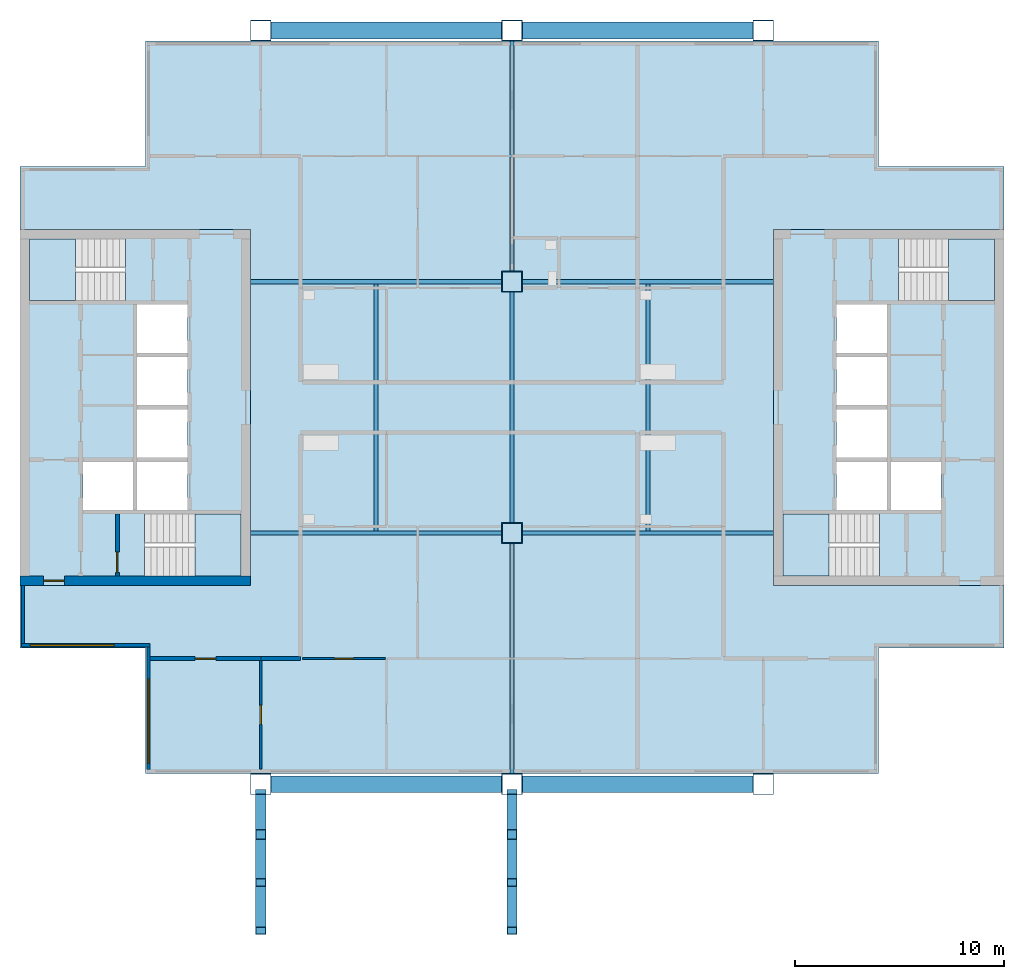
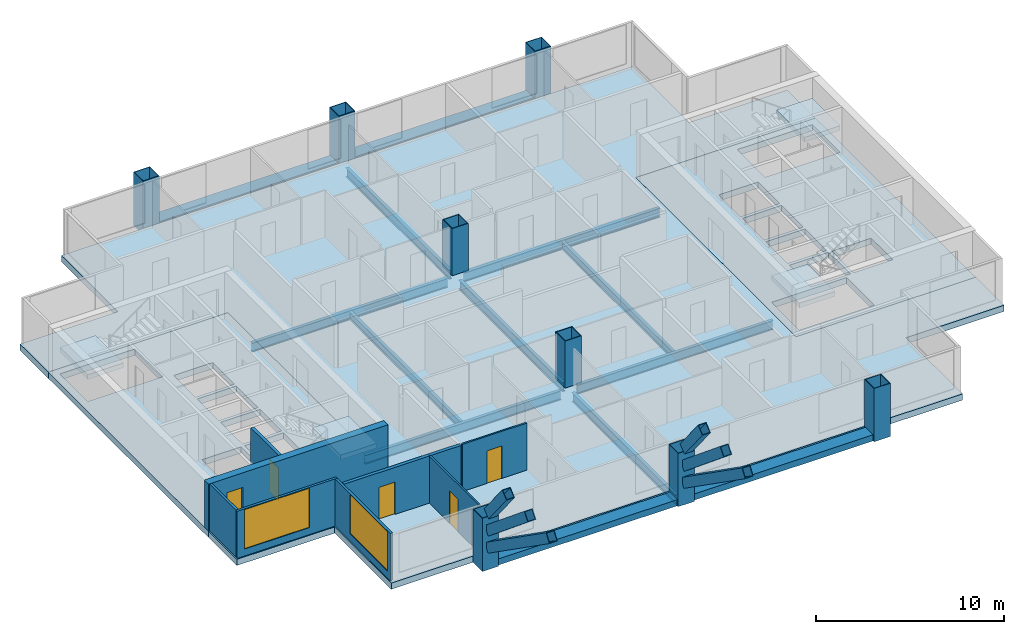
# One storey, part 1 of 8: 13 beams, 9 walls, 8 columns, 7 slabs, 6 members, 5 doors, 2 windows, 7 openings, 4 elements without a shape of their own.
"""IFC4 building model written with IfcOpenShell, lengths in metres."""

from ifc_helpers import new_model, si_unit, direction, frame, frame_2d, origin, origin_2d, place, context, subcontext, project, spatial, polyline, rectangle, hollow_rectangle, i_section, outline, extrude, material, layer, layer_set, material_profile, profile_set, type_object, element, fill, aggregate, save


model = new_model("IFC4")

# Units and contexts
model_context = context("Model", 3, precision=1e-05, world=origin(), true_north=direction((0.0, 1.0)))
body_context = subcontext(model_context, "Body", "Model", "MODEL_VIEW")
ifc_project = project(units=[si_unit("LENGTHUNIT", "METRE"), si_unit("AREAUNIT", "SQUARE_METRE"), si_unit("VOLUMEUNIT", "CUBIC_METRE"), si_unit("PLANEANGLEUNIT", "RADIAN"), si_unit("MASSUNIT", "GRAM", prefix="KILO")], contexts=[model_context])

# Site, building, storey
site_placement = place(None, origin())
site = spatial("IfcSite", under=ifc_project, at=site_placement, CompositionType="ELEMENT")
building_placement = place(site_placement, origin())
building = spatial("IfcBuilding", under=site, at=building_placement, Name="Kitamizu Gate Tower and Museum", CompositionType="ELEMENT")
storey_placement = place(building_placement, frame((0.0, 0.0, 266.25)))
storey = spatial("IfcBuildingStorey", under=building, at=storey_placement, Name="L72", CompositionType="ELEMENT", Elevation=266.25)

# Columns
ifc_material_1 = material(Name="Steel SM490A bronze coated", Category="steel")
ifc_material_profile_1 = material_profile(ifc_material_1, hollow_rectangle(XDim=1.0, YDim=1.0, WallThickness=0.035888671875, at=origin_2d()), Name="BOX 1000x1000x36")
ifc_profile_set_1 = profile_set([ifc_material_profile_1], Name="Steel SM490A bronze coated")
column_type_1 = type_object("IfcColumnType", Name="Exoskeleton column XC9 BOX 1000x1000x36", PredefinedType="COLUMN", material=ifc_profile_set_1)
for number, where, z_axis, x_axis, name in (
    (1, (24.0, 12.0, -0.39990234375), (0.0, 0.0, 1.0), (1.0, 0.0, 0.0), "Column XC9 3B L72"),
    (2, (24.0, 48.0, -0.39990234375), (0.0, 0.0, 1.0), (1.0, 0.0, 0.0), "Column XC9 3E L72"),
    (3, (36.0, 12.0, -0.39990234375), (0.0, 0.0, 1.0), (1.0, 0.0, 0.0), "Column XC9 4B L72"),
    (4, (36.0, 48.0, -0.39990234375), (0.0, 0.0, 1.0), (1.0, 0.0, 0.0), "Column XC9 4E L72"),
    (5, (48.0, 12.0, -0.39990234375), (0.0, 0.0, 1.0), (1.0, 0.0, 0.0), "Column XC9 5B L72"),
    (6, (48.0, 48.0, -0.39990234375), (0.0, 0.0, 1.0), (1.0, 0.0, 0.0), "Column XC9 5E L72"),
):
    element("IfcColumn", number, at=place(storey_placement, frame(where, z_axis=z_axis, x_axis=x_axis)), inside=storey, type_object=column_type_1, Name=name, PredefinedType="COLUMN", context=body_context, shape_type="SweptSolid", body=[
        extrude(hollow_rectangle(XDim=1.0, YDim=1.0, WallThickness=0.035888671875, at=origin_2d()), origin(), (0.0, 0.0, 1.0), 3.449951171875),
    ])
ifc_material_2 = material(Name="Steel SM490A", Category="steel")
ifc_material_profile_2 = material_profile(ifc_material_2, hollow_rectangle(XDim=1.0, YDim=1.0, WallThickness=0.0400390625, at=origin_2d()), Name="BOX 1000x1000x40")
ifc_profile_set_2 = profile_set([ifc_material_profile_2], Name="Steel SM490A")
column_type_2 = type_object("IfcColumnType", Name="Interior column IC5 BOX 1000x1000x40", PredefinedType="COLUMN", material=ifc_profile_set_2)
for number, where, z_axis, x_axis, name in (
    (7, (36.0, 24.0, 0.0), (0.0, 0.0, 1.0), (1.0, 0.0, 0.0), "Column IC5 4C L72"),
    (8, (36.0, 36.0, 0.0), (0.0, 0.0, 1.0), (1.0, 0.0, 0.0), "Column IC5 4D L72"),
):
    element("IfcColumn", number, at=place(storey_placement, frame(where, z_axis=z_axis, x_axis=x_axis)), inside=storey, type_object=column_type_2, Name=name, PredefinedType="COLUMN", context=body_context, shape_type="SweptSolid", body=[
        extrude(hollow_rectangle(XDim=1.0, YDim=1.0, WallThickness=0.0400390625, at=origin_2d()), origin(), (0.0, 0.0, 1.0), 3.050048828125),
    ])

# Beams
ifc_material_3 = material(Name="Steel SM490A bronze coated", Category="steel")
ifc_material_profile_3 = material_profile(ifc_material_3, hollow_rectangle(XDim=0.800048828125, YDim=0.39990234375, WallThickness=0.0400390625, at=origin_2d()), Name="BOX 800x400x40")
ifc_profile_set_3 = profile_set([ifc_material_profile_3], Name="Steel SM490A bronze coated")
beam_type_1 = type_object("IfcBeamType", Name="Exoskeleton spandrel beam SB1 BOX 800x400x40", PredefinedType="SPANDREL", material=ifc_profile_set_3)
for number, where, z_axis, x_axis, name in (
    (9, (24.5, 12.0, -0.199951171875), (1.0, 0.0, 0.0), (0.0, 1.0, 0.0), "Exoskeleton spandrel beam south 24 L72"),
    (10, (36.5, 12.0, -0.199951171875), (1.0, 0.0, 0.0), (0.0, 1.0, 0.0), "Exoskeleton spandrel beam south 36 L72"),
    (11, (24.5, 48.0, -0.199951171875), (1.0, 0.0, 0.0), (0.0, 1.0, 0.0), "Exoskeleton spandrel beam north 24 L72"),
    (12, (36.5, 48.0, -0.199951171875), (1.0, 0.0, 0.0), (0.0, 1.0, 0.0), "Exoskeleton spandrel beam north 36 L72"),
):
    element("IfcBeam", number, at=place(storey_placement, frame(where, z_axis=z_axis, x_axis=x_axis)), inside=storey, type_object=beam_type_1, Name=name, PredefinedType="SPANDREL", context=body_context, shape_type="SweptSolid", body=[
        extrude(hollow_rectangle(XDim=0.800048828125, YDim=0.39990234375, WallThickness=0.0400390625, at=origin_2d()), origin(), (0.0, 0.0, 1.0), 11.0),
    ])
ifc_material_4 = material(Name="Steel SM490A", Category="steel")
ifc_material_profile_4 = material_profile(ifc_material_4, i_section(OverallWidth=0.199951171875, OverallDepth=0.5, WebThickness=0.010009765625, FlangeThickness=0.01611328125, FilletRadius=0.02001953125, at=origin_2d()), Name="H-500x200x10x16")
ifc_profile_set_4 = profile_set([ifc_material_profile_4], Name="Steel SM490A")
beam_type_2 = type_object("IfcBeamType", Name="Floor beam FB1 H 500x200x10x16", PredefinedType="BEAM", material=ifc_profile_set_4)
for number, where, z_axis, x_axis, name in (
    (13, (29.5, 24.10009765625, -0.64990234375), (0.0, 1.0, 0.0), (-1.0, 0.0, 0.0), "Floor beam FB1 L72-1"),
    (14, (42.5, 24.10009765625, -0.64990234375), (0.0, 1.0, 0.0), (-1.0, 0.0, 0.0), "Floor beam FB1 L72-2"),
):
    element("IfcBeam", number, at=place(storey_placement, frame(where, z_axis=z_axis, x_axis=x_axis)), inside=storey, type_object=beam_type_2, Name=name, PredefinedType="BEAM", context=body_context, shape_type="SweptSolid", body=[
        extrude(i_section(OverallWidth=0.199951171875, OverallDepth=0.5, WebThickness=0.010009765625, FlangeThickness=0.01611328125, FilletRadius=0.02001953125, at=origin_2d()), origin(), (0.0, 0.0, 1.0), 11.7998046875),
    ])
ifc_material_5 = material(Name="Steel SM490A", Category="steel")
ifc_material_profile_5 = material_profile(ifc_material_5, i_section(OverallWidth=0.199951171875, OverallDepth=0.60009765625, WebThickness=0.010986328125, FlangeThickness=0.01708984375, FilletRadius=0.02197265625, at=origin_2d()), Name="H-600x200x11x17")
ifc_profile_set_5 = profile_set([ifc_material_profile_5], Name="Steel SM490A")
beam_type_3 = type_object("IfcBeamType", Name="Floor girder FG1 H 600x200x11x17", PredefinedType="BEAM", material=ifc_profile_set_5)
for number, where, z_axis, x_axis, name in (
    (15, (36.0, 12.5, -0.699951171875), (0.0, 1.0, 0.0), (-1.0, 0.0, 0.0), "Floor girder FG1 x36 L72"),
    (16, (36.0, 24.5, -0.699951171875), (0.0, 1.0, 0.0), (-1.0, 0.0, 0.0), "Floor girder FG1 x36 L72"),
    (17, (36.0, 36.5, -0.699951171875), (0.0, 1.0, 0.0), (-1.0, 0.0, 0.0), "Floor girder FG1 x36 L72"),
):
    element("IfcBeam", number, at=place(storey_placement, frame(where, z_axis=z_axis, x_axis=x_axis)), inside=storey, type_object=beam_type_3, Name=name, PredefinedType="BEAM", context=body_context, shape_type="SweptSolid", body=[
        extrude(i_section(OverallWidth=0.199951171875, OverallDepth=0.60009765625, WebThickness=0.010986328125, FlangeThickness=0.01708984375, FilletRadius=0.02197265625, at=origin_2d()), origin(), (0.0, 0.0, 1.0), 11.0),
    ])
for number, where, z_axis, x_axis, name in (
    (18, (23.5, 24.0, -0.699951171875), (1.0, 0.0, 0.0), (0.0, 1.0, 0.0), "Floor girder FG1 y24 L72"),
    (19, (36.5, 24.0, -0.699951171875), (1.0, 0.0, 0.0), (0.0, 1.0, 0.0), "Floor girder FG1 y24 L72"),
    (20, (23.5, 36.0, -0.699951171875), (1.0, 0.0, 0.0), (0.0, 1.0, 0.0), "Floor girder FG1 y36 L72"),
    (21, (36.5, 36.0, -0.699951171875), (1.0, 0.0, 0.0), (0.0, 1.0, 0.0), "Floor girder FG1 y36 L72"),
):
    element("IfcBeam", number, at=place(storey_placement, frame(where, z_axis=z_axis, x_axis=x_axis)), inside=storey, type_object=beam_type_3, Name=name, PredefinedType="BEAM", context=body_context, shape_type="SweptSolid", body=[
        extrude(i_section(OverallWidth=0.199951171875, OverallDepth=0.60009765625, WebThickness=0.010986328125, FlangeThickness=0.01708984375, FilletRadius=0.02197265625, at=origin_2d()), origin(), (0.0, 0.0, 1.0), 12.0),
    ])

# Members
ifc_material_6 = material(Name="Steel SM490A bronze coated", Category="steel")
ifc_material_profile_6 = material_profile(ifc_material_6, hollow_rectangle(XDim=0.5, YDim=0.60009765625, WallThickness=0.030029296875, at=origin_2d()), Name="BOX 500x600x30")
ifc_profile_set_6 = profile_set([ifc_material_profile_6], Name="Steel SM490A bronze coated")
member_type = type_object("IfcMemberType", Name="Pool support strut PS1 BOX 500x600x30", PredefinedType="BRACE", material=ifc_profile_set_6)
member_1_placement = place(storey_placement, frame((24.0, 11.501953125, 1.050048828125), z_axis=(0.0, -0.818124904334, 0.575040555881), x_axis=(1.0, 0.0, 0.0)))
element("IfcMember", 22, at=member_1_placement, inside=storey, type_object=member_type, Name="Pool support strut W1", PredefinedType="BRACE", context=body_context, shape_type="SweptSolid", body=[
    extrude(hollow_rectangle(XDim=0.5, YDim=0.60009765625, WallThickness=0.030029296875, at=origin_2d()), origin(), (0.0, 0.0, 1.0), 7.947265625),
])
member_2_placement = place(storey_placement, frame((24.0, 11.501953125, 2.14990234375), z_axis=(0.0, -0.771044951392, 0.636780718092), x_axis=(1.0, 0.0, 0.0)))
element("IfcMember", 23, at=member_2_placement, inside=storey, type_object=member_type, Name="Pool support strut W2", PredefinedType="BRACE", context=body_context, shape_type="SweptSolid", body=[
    extrude(hollow_rectangle(XDim=0.5, YDim=0.60009765625, WallThickness=0.030029296875, at=origin_2d()), origin(), (0.0, 0.0, 1.0), 5.44970703125),
])
member_3_placement = place(storey_placement, frame((24.0, 11.501953125, 3.25), z_axis=(0.0, -0.625850478544, 0.779943061067), x_axis=(1.0, 0.0, 0.0)))
element("IfcMember", 24, at=member_3_placement, inside=storey, type_object=member_type, Name="Pool support strut W3", PredefinedType="BRACE", context=body_context, shape_type="SweptSolid", body=[
    extrude(hollow_rectangle(XDim=0.5, YDim=0.60009765625, WallThickness=0.030029296875, at=origin_2d()), origin(), (0.0, 0.0, 1.0), 3.038818359375),
])
member_4_placement = place(storey_placement, frame((36.0, 11.501953125, 1.050048828125), z_axis=(0.0, -0.818124904334, 0.575040555881), x_axis=(1.0, 0.0, 0.0)))
element("IfcMember", 25, at=member_4_placement, inside=storey, type_object=member_type, Name="Pool support strut E1", PredefinedType="BRACE", context=body_context, shape_type="SweptSolid", body=[
    extrude(hollow_rectangle(XDim=0.5, YDim=0.60009765625, WallThickness=0.030029296875, at=origin_2d()), origin(), (0.0, 0.0, 1.0), 7.947265625),
])
member_5_placement = place(storey_placement, frame((36.0, 11.501953125, 2.14990234375), z_axis=(0.0, -0.771044951392, 0.636780718092), x_axis=(1.0, 0.0, 0.0)))
element("IfcMember", 26, at=member_5_placement, inside=storey, type_object=member_type, Name="Pool support strut E2", PredefinedType="BRACE", context=body_context, shape_type="SweptSolid", body=[
    extrude(hollow_rectangle(XDim=0.5, YDim=0.60009765625, WallThickness=0.030029296875, at=origin_2d()), origin(), (0.0, 0.0, 1.0), 5.44970703125),
])
member_6_placement = place(storey_placement, frame((36.0, 11.501953125, 3.25), z_axis=(0.0, -0.625850478544, 0.779943061067), x_axis=(1.0, 0.0, 0.0)))
element("IfcMember", 27, at=member_6_placement, inside=storey, type_object=member_type, Name="Pool support strut E3", PredefinedType="BRACE", context=body_context, shape_type="SweptSolid", body=[
    extrude(hollow_rectangle(XDim=0.5, YDim=0.60009765625, WallThickness=0.030029296875, at=origin_2d()), origin(), (0.0, 0.0, 1.0), 3.038818359375),
])

# Slabs
ifc_material_7 = material(Name="Concrete Fc36", Category="concrete")
ifc_layer_1 = layer(ifc_material_7, 0.39990234375)
ifc_layer_set_1 = layer_set([ifc_layer_1], Name="Concrete Fc36")
slab_type_1 = type_object("IfcSlabType", Name="Core floor slab 400", PredefinedType="FLOOR", material=ifc_layer_set_1)
slab_1_placement = place(storey_placement, frame((0.0, 0.0, -0.39990234375)))
element("IfcSlab", 28, at=slab_1_placement, inside=storey, type_object=slab_type_1, Name="Core floor slab W", PredefinedType="FLOOR", context=body_context, shape_type="SweptSolid", body=[
    extrude(outline(polyline([(12.5, 21.5), (23.5, 21.5), (23.5, 38.5), (12.5, 38.5), (12.5, 21.5)]), holes=[polyline([(15.5, 25.10009765625), (17.89990234375, 25.10009765625), (17.89990234375, 27.39990234375), (15.5, 27.39990234375), (15.5, 25.10009765625)]), polyline([(18.10009765625, 25.10009765625), (20.5, 25.10009765625), (20.5, 27.39990234375), (18.10009765625, 27.39990234375), (18.10009765625, 25.10009765625)]), polyline([(18.10009765625, 27.60009765625), (20.5, 27.60009765625), (20.5, 29.89990234375), (18.10009765625, 29.89990234375), (18.10009765625, 27.60009765625)]), polyline([(18.10009765625, 30.10009765625), (20.5, 30.10009765625), (20.5, 32.39990234375), (18.10009765625, 32.39990234375), (18.10009765625, 30.10009765625)]), polyline([(18.10009765625, 32.60009765625), (20.5, 32.60009765625), (20.5, 34.89990234375), (18.10009765625, 34.89990234375), (18.10009765625, 32.60009765625)]), polyline([(18.45068359375, 21.949951171875), (23.050048828125, 21.949951171875), (23.050048828125, 24.89990234375), (18.45068359375, 24.89990234375), (18.45068359375, 21.949951171875)]), polyline([(12.949951171875, 35.10009765625), (17.54931640625, 35.10009765625), (17.54931640625, 38.050048828125), (12.949951171875, 38.050048828125), (12.949951171875, 35.10009765625)])]), origin(), (0.0, 0.0, 1.0), 0.39990234375),
])
slab_2_placement = place(storey_placement, frame((0.0, 0.0, -0.39990234375)))
element("IfcSlab", 29, at=slab_2_placement, inside=storey, type_object=slab_type_1, Name="Core floor slab E", PredefinedType="FLOOR", context=body_context, shape_type="SweptSolid", body=[
    extrude(outline(polyline([(48.5, 21.5), (59.5, 21.5), (59.5, 38.5), (48.5, 38.5), (48.5, 21.5)]), holes=[polyline([(54.10009765625, 25.10009765625), (56.5, 25.10009765625), (56.5, 27.39990234375), (54.10009765625, 27.39990234375), (54.10009765625, 25.10009765625)]), polyline([(51.5, 25.10009765625), (53.89990234375, 25.10009765625), (53.89990234375, 27.39990234375), (51.5, 27.39990234375), (51.5, 25.10009765625)]), polyline([(51.5, 27.60009765625), (53.89990234375, 27.60009765625), (53.89990234375, 29.89990234375), (51.5, 29.89990234375), (51.5, 27.60009765625)]), polyline([(51.5, 30.10009765625), (53.89990234375, 30.10009765625), (53.89990234375, 32.39990234375), (51.5, 32.39990234375), (51.5, 30.10009765625)]), polyline([(51.5, 32.60009765625), (53.89990234375, 32.60009765625), (53.89990234375, 34.89990234375), (51.5, 34.89990234375), (51.5, 32.60009765625)]), polyline([(48.949951171875, 21.949951171875), (53.54931640625, 21.949951171875), (53.54931640625, 24.89990234375), (48.949951171875, 24.89990234375), (48.949951171875, 21.949951171875)]), polyline([(54.45068359375, 35.10009765625), (59.050048828125, 35.10009765625), (59.050048828125, 38.050048828125), (54.45068359375, 38.050048828125), (54.45068359375, 35.10009765625)])]), origin(), (0.0, 0.0, 1.0), 0.39990234375),
])
ifc_material_8 = material(Name="Concrete Fc36", Category="concrete")
ifc_layer_2 = layer(ifc_material_8, 0.39990234375)
ifc_layer_set_2 = layer_set([ifc_layer_2], Name="Concrete Fc36")
slab_type_2 = type_object("IfcSlabType", Name="Post tensioned flat slab 400", PredefinedType="FLOOR", material=ifc_layer_set_2)
slab_3_placement = place(storey_placement, frame((0.0, 0.0, -0.39990234375)))
element("IfcSlab", 30, at=slab_3_placement, inside=storey, type_object=slab_type_2, Name="Floor slab L72-1", PredefinedType="FLOOR", context=body_context, shape_type="SweptSolid", body=[
    extrude(outline(polyline([(12.5, 18.5), (12.5, 21.5), (23.5, 21.5), (23.5, 38.5), (12.5, 38.5), (12.5, 41.5), (18.5, 41.5), (18.5, 47.5), (53.5, 47.5), (53.5, 41.5), (59.5, 41.5), (59.5, 38.5), (48.5, 38.5), (48.5, 21.5), (59.5, 21.5), (59.5, 18.5), (53.5, 18.5), (53.5, 12.5), (18.5, 12.5), (18.5, 18.5), (12.5, 18.5)])), origin(), (0.0, 0.0, 1.0), 0.39990234375),
])

# Stair, slab
ifc_material_9 = material(Name="Concrete Fc42", Category="concrete")
stair_type = type_object("IfcStairType", Name="Exit stair 1375 wide 192 rise 300 going", PredefinedType="HALF_TURN_STAIR", material=ifc_material_9)
stair_1_placement = place(storey_placement, origin())
stair_1 = element("IfcStair", 31, at=stair_1_placement, inside=storey, type_object=stair_type, Name="Exit stair ST1", PredefinedType="HALF_TURN_STAIR")
ifc_material_10 = material(Name="Concrete Fc42", Category="concrete")
ifc_layer_3 = layer(ifc_material_10, 0.300048828125)
ifc_layer_set_3 = layer_set([ifc_layer_3], Name="Concrete Fc42")
slab_type_3 = type_object("IfcSlabType", Name="Stair landing 300", PredefinedType="LANDING", material=ifc_layer_set_3)
slab_4_placement = place(storey_placement, frame((0.0, 0.0, 1.425048828125)))
slab_4 = element("IfcSlab", 32, at=slab_4_placement, type_object=slab_type_3, Name="ST1 landing 1", PredefinedType="LANDING", context=body_context, shape_type="SweptSolid", body=[
    extrude(outline(polyline([(20.85009765625, 21.949951171875), (23.050048828125, 21.949951171875), (23.050048828125, 24.89990234375), (20.85009765625, 24.89990234375), (20.85009765625, 21.949951171875)])), origin(), (0.0, 0.0, 1.0), 0.300048828125),
])
aggregate(stair_1, [slab_4])

stair_2_placement = place(storey_placement, origin())
stair_2 = element("IfcStair", 33, at=stair_2_placement, inside=storey, type_object=stair_type, Name="Exit stair ST2", PredefinedType="HALF_TURN_STAIR")
slab_5_placement = place(storey_placement, frame((0.0, 0.0, 1.425048828125)))
slab_5 = element("IfcSlab", 34, at=slab_5_placement, type_object=slab_type_3, Name="ST2 landing 1", PredefinedType="LANDING", context=body_context, shape_type="SweptSolid", body=[
    extrude(outline(polyline([(12.949951171875, 35.10009765625), (15.14990234375, 35.10009765625), (15.14990234375, 38.050048828125), (12.949951171875, 38.050048828125), (12.949951171875, 35.10009765625)])), origin(), (0.0, 0.0, 1.0), 0.300048828125),
])
aggregate(stair_2, [slab_5])

stair_3_placement = place(storey_placement, origin())
stair_3 = element("IfcStair", 35, at=stair_3_placement, inside=storey, type_object=stair_type, Name="Exit stair ST3", PredefinedType="HALF_TURN_STAIR")
slab_6_placement = place(storey_placement, frame((0.0, 0.0, 1.425048828125)))
slab_6 = element("IfcSlab", 36, at=slab_6_placement, type_object=slab_type_3, Name="ST3 landing 1", PredefinedType="LANDING", context=body_context, shape_type="SweptSolid", body=[
    extrude(outline(polyline([(48.949951171875, 21.949951171875), (51.14990234375, 21.949951171875), (51.14990234375, 24.89990234375), (48.949951171875, 24.89990234375), (48.949951171875, 21.949951171875)])), origin(), (0.0, 0.0, 1.0), 0.300048828125),
])
aggregate(stair_3, [slab_6])

stair_4_placement = place(storey_placement, origin())
stair_4 = element("IfcStair", 37, at=stair_4_placement, inside=storey, type_object=stair_type, Name="Exit stair ST4", PredefinedType="HALF_TURN_STAIR")
slab_7_placement = place(storey_placement, frame((0.0, 0.0, 1.425048828125)))
slab_7 = element("IfcSlab", 38, at=slab_7_placement, type_object=slab_type_3, Name="ST4 landing 1", PredefinedType="LANDING", context=body_context, shape_type="SweptSolid", body=[
    extrude(outline(polyline([(56.85009765625, 35.10009765625), (59.050048828125, 35.10009765625), (59.050048828125, 38.050048828125), (56.85009765625, 38.050048828125), (56.85009765625, 35.10009765625)])), origin(), (0.0, 0.0, 1.0), 0.300048828125),
])
aggregate(stair_4, [slab_7])

# Wall, opening, door
ifc_material_11 = material(Name="Concrete Fc42", Category="concrete")
ifc_layer_4 = layer(ifc_material_11, 0.449951171875)
ifc_layer_set_4 = layer_set([ifc_layer_4], Name="Concrete Fc42")
wall_type_1 = type_object("IfcWallType", Name="Core wall 450 EI 90", PredefinedType="SHEAR", material=ifc_layer_set_4)
wall_1_placement = place(storey_placement, frame((12.5, 21.72509765625, 0.0), z_axis=(0.0, 0.0, 1.0), x_axis=(1.0, 0.0, 0.0)))
wall_1 = element("IfcWall", 39, at=wall_1_placement, inside=storey, type_object=wall_type_1, Name="Core wall WS", PredefinedType="SHEAR", context=body_context, shape_type="SweptSolid", body=[
    extrude(rectangle(XDim=11.0, YDim=0.449951171875, at=frame_2d((5.5, 0.0))), origin(), (0.0, 0.0, 1.0), 3.050048828125),
])
opening_1_placement = place(wall_1_placement, frame((1.125, 0.0, 0.0)))
opening_1 = element("IfcOpeningElement", 40, at=opening_1_placement, cuts=wall_1, Name="Opening L72-034", PredefinedType="OPENING", context=body_context, shape_type="SweptSolid", body=[
    extrude(rectangle(XDim=1.0, YDim=2.10009765625, at=frame_2d((0.5, 1.050048828125))), frame((0.0, 0.23486328125, 0.0), z_axis=(0.0, -1.0, 0.0), x_axis=(1.0, 0.0, 0.0)), (0.0, 0.0, 1.0), 0.469970703125),
])
ifc_material_12 = material(Name="Hollow metal door set")
door_type_1 = type_object("IfcDoorType", Name="Fire door 1000", OperationType="NOTDEFINED", PredefinedType="DOOR", material=ifc_material_12)
door_1_placement = place(opening_1_placement, origin())
door_1 = element("IfcDoor", 41, at=door_1_placement, inside=storey, type_object=door_type_1, Name="Fire-fighting lobby door L72-034", OperationType="SINGLE_SWING_LEFT", OverallHeight=2.10009765625, OverallWidth=1.0, PredefinedType="DOOR", context=body_context, shape_type="SweptSolid", body=[
    extrude(rectangle(XDim=1.0, YDim=2.10009765625, at=frame_2d((0.5, 1.050048828125))), frame((0.0, 0.02490234375, 0.0), z_axis=(0.0, -1.0, 0.0), x_axis=(1.0, 0.0, 0.0)), (0.0, 0.0, 1.0), 0.050048828125),
])
fill(opening_1, door_1)

ifc_material_13 = material(Name="Gypsum board on galvanised stud")
ifc_layer_5 = layer(ifc_material_13, 0.10009765625)
ifc_layer_set_5 = layer_set([ifc_layer_5], Name="Gypsum board on galvanised stud")
wall_type_2 = type_object("IfcWallType", Name="Partition 100 NOT RATED", PredefinedType="PARTITIONING", material=ifc_layer_set_5)
wall_2_placement = place(storey_placement, frame((24.0, 12.719970703125, 0.0), z_axis=(0.0, 0.0, 1.0), x_axis=(0.0, 1.0, 0.0)))
wall_2 = element("IfcWall", 42, at=wall_2_placement, inside=storey, type_object=wall_type_2, Name="Partition L72-001", PredefinedType="PARTITIONING", context=body_context, shape_type="SweptSolid", body=[
    extrude(rectangle(XDim=5.179931640625, YDim=0.10009765625, at=frame_2d((2.58984375, 0.0))), origin(), (0.0, 0.0, 1.0), 3.050048828125),
])
opening_2_placement = place(wall_2_placement, frame((2.139892578125, 0.0, 0.0)))
opening_2 = element("IfcOpeningElement", 43, at=opening_2_placement, cuts=wall_2, Name="Opening L72-002", PredefinedType="OPENING", context=body_context, shape_type="SweptSolid", body=[
    extrude(rectangle(XDim=0.89990234375, YDim=2.10009765625, at=frame_2d((0.449951171875, 1.050048828125))), frame((0.0, 0.06005859375, 0.0), z_axis=(0.0, -1.0, 0.0), x_axis=(1.0, 0.0, 0.0)), (0.0, 0.0, 1.0), 0.1201171875),
])
ifc_material_14 = material(Name="Timber door set", Category="wood")
door_type_2 = type_object("IfcDoorType", Name="Room door 900", OperationType="NOTDEFINED", PredefinedType="DOOR", material=ifc_material_14)
door_2_placement = place(opening_2_placement, frame((0.89990234375, 0.0, 0.0), x_axis=(-1.0, 0.0, 0.0)))
door_2 = element("IfcDoor", 44, at=door_2_placement, inside=storey, type_object=door_type_2, Name="Door L72-002", OperationType="SINGLE_SWING_RIGHT", OverallHeight=2.10009765625, OverallWidth=0.89990234375, PredefinedType="DOOR", context=body_context, shape_type="SweptSolid", body=[
    extrude(rectangle(XDim=0.89990234375, YDim=2.10009765625, at=frame_2d((0.449951171875, 1.050048828125))), frame((0.0, 0.02490234375, 0.0), z_axis=(0.0, -1.0, 0.0), x_axis=(1.0, 0.0, 0.0)), (0.0, 0.0, 1.0), 0.050048828125),
])
fill(opening_2, door_2)

wall_3_placement = place(storey_placement, frame((29.949951171875, 18.0, 0.0), z_axis=(0.0, 0.0, 1.0), x_axis=(-1.0, 0.0, 0.0)))
wall_3 = element("IfcWall", 45, at=wall_3_placement, inside=storey, type_object=wall_type_2, Name="Partition L72-004", PredefinedType="PARTITIONING", context=body_context, shape_type="SweptSolid", body=[
    extrude(rectangle(XDim=3.949951171875, YDim=0.10009765625, at=frame_2d((1.97509765625, 0.0))), origin(), (0.0, 0.0, 1.0), 3.050048828125),
])
opening_3_placement = place(wall_3_placement, frame((1.52490234375, 0.0, 0.0)))
opening_3 = element("IfcOpeningElement", 46, at=opening_3_placement, cuts=wall_3, Name="Opening L72-005", PredefinedType="OPENING", context=body_context, shape_type="SweptSolid", body=[
    extrude(rectangle(XDim=0.89990234375, YDim=2.10009765625, at=frame_2d((0.449951171875, 1.050048828125))), frame((0.0, 0.06005859375, 0.0), z_axis=(0.0, -1.0, 0.0), x_axis=(1.0, 0.0, 0.0)), (0.0, 0.0, 1.0), 0.1201171875),
])
door_3_placement = place(opening_3_placement, origin())
door_3 = element("IfcDoor", 47, at=door_3_placement, inside=storey, type_object=door_type_2, Name="Door L72-005", OperationType="SINGLE_SWING_RIGHT", OverallHeight=2.10009765625, OverallWidth=0.89990234375, PredefinedType="DOOR", context=body_context, shape_type="SweptSolid", body=[
    extrude(rectangle(XDim=0.89990234375, YDim=2.10009765625, at=frame_2d((0.449951171875, 1.050048828125))), frame((0.0, 0.02490234375, 0.0), z_axis=(0.0, -1.0, 0.0), x_axis=(1.0, 0.0, 0.0)), (0.0, 0.0, 1.0), 0.050048828125),
])
fill(opening_3, door_3)

ifc_material_15 = material(Name="Gypsum board on galvanised stud")
ifc_layer_6 = layer(ifc_material_15, 0.199951171875)
ifc_layer_set_6 = layer_set([ifc_layer_6], Name="Gypsum board on galvanised stud")
wall_type_3 = type_object("IfcWallType", Name="Partition 200", PredefinedType="PARTITIONING", material=ifc_layer_set_6)
wall_4_placement = place(storey_placement, frame((24.0, 18.0, 0.0), z_axis=(0.0, 0.0, 1.0), x_axis=(-1.0, 0.0, 0.0)))
wall_4 = element("IfcWall", 48, at=wall_4_placement, inside=storey, type_object=wall_type_3, Name="Partition L72-002", PredefinedType="PARTITIONING", context=body_context, shape_type="SweptSolid", body=[
    extrude(rectangle(XDim=5.280029296875, YDim=0.199951171875, at=frame_2d((2.64013671875, 0.0))), origin(), (0.0, 0.0, 1.0), 3.050048828125),
])
opening_4_placement = place(wall_4_placement, frame((2.139892578125, 0.0, 0.0)))
opening_4 = element("IfcOpeningElement", 49, at=opening_4_placement, cuts=wall_4, Name="Opening L72-001", PredefinedType="OPENING", context=body_context, shape_type="SweptSolid", body=[
    extrude(rectangle(XDim=1.0, YDim=2.10009765625, at=frame_2d((0.5, 1.050048828125))), frame((0.0, 0.10986328125, 0.0), z_axis=(0.0, -1.0, 0.0), x_axis=(1.0, 0.0, 0.0)), (0.0, 0.0, 1.0), 0.219970703125),
])
ifc_material_16 = material(Name="Timber door set", Category="wood")
door_type_3 = type_object("IfcDoorType", Name="Flat entrance door 1000", OperationType="NOTDEFINED", PredefinedType="DOOR", material=ifc_material_16)
door_4_placement = place(opening_4_placement, origin())
door_4 = element("IfcDoor", 50, at=door_4_placement, inside=storey, type_object=door_type_3, Name="Flat entrance door L72-001", OperationType="SINGLE_SWING_RIGHT", OverallHeight=2.10009765625, OverallWidth=1.0, PredefinedType="DOOR", context=body_context, shape_type="SweptSolid", body=[
    extrude(rectangle(XDim=1.0, YDim=2.10009765625, at=frame_2d((0.5, 1.050048828125))), frame((0.0, 0.02490234375, 0.0), z_axis=(0.0, -1.0, 0.0), x_axis=(1.0, 0.0, 0.0)), (0.0, 0.0, 1.0), 0.050048828125),
])
fill(opening_4, door_4)

# Wall
wall_5_placement = place(storey_placement, frame((25.89990234375, 18.0, 0.0), z_axis=(0.0, 0.0, 1.0), x_axis=(-1.0, 0.0, 0.0)))
element("IfcWall", 51, at=wall_5_placement, inside=storey, type_object=wall_type_3, Name="Partition L72-005", PredefinedType="PARTITIONING", context=body_context, shape_type="SweptSolid", body=[
    extrude(rectangle(XDim=1.89990234375, YDim=0.199951171875, at=frame_2d((0.949951171875, 0.0))), origin(), (0.0, 0.0, 1.0), 3.050048828125),
])

# Wall, opening, door
ifc_material_17 = material(Name="Concrete Fc42", Category="concrete")
ifc_layer_7 = layer(ifc_material_17, 0.199951171875)
ifc_layer_set_7 = layer_set([ifc_layer_7], Name="Concrete Fc42")
wall_type_4 = type_object("IfcWallType", Name="Shaft wall 200", PredefinedType="SOLIDWALL", material=ifc_layer_set_7)
wall_6_placement = place(storey_placement, frame((17.14990234375, 21.949951171875, 0.0), z_axis=(0.0, 0.0, 1.0), x_axis=(0.0, 1.0, 0.0)))
wall_6 = element("IfcWall", 52, at=wall_6_placement, inside=storey, type_object=wall_type_4, Name="Shaft wall WSZ", PredefinedType="SOLIDWALL", context=body_context, shape_type="SweptSolid", body=[
    extrude(rectangle(XDim=2.949951171875, YDim=0.199951171875, at=frame_2d((1.47509765625, 0.0))), origin(), (0.0, 0.0, 1.0), 3.050048828125),
])
opening_5_placement = place(wall_6_placement, frame((0.14990234375, 0.0, 0.0)))
opening_5 = element("IfcOpeningElement", 53, at=opening_5_placement, cuts=wall_6, Name="Opening L72-029", PredefinedType="OPENING", context=body_context, shape_type="SweptSolid", body=[
    extrude(rectangle(XDim=1.0, YDim=2.10009765625, at=frame_2d((0.5, 1.050048828125))), frame((0.0, 0.10986328125, 0.0), z_axis=(0.0, -1.0, 0.0), x_axis=(1.0, 0.0, 0.0)), (0.0, 0.0, 1.0), 0.219970703125),
])
door_5_placement = place(opening_5_placement, frame((1.0, 0.0, 0.0), x_axis=(-1.0, 0.0, 0.0)))
door_5 = element("IfcDoor", 54, at=door_5_placement, inside=storey, type_object=door_type_1, Name="Stair door L72-029", OperationType="SINGLE_SWING_LEFT", OverallHeight=2.10009765625, OverallWidth=1.0, PredefinedType="DOOR", context=body_context, shape_type="SweptSolid", body=[
    extrude(rectangle(XDim=1.0, YDim=2.10009765625, at=frame_2d((0.5, 1.050048828125))), frame((0.0, 0.02490234375, 0.0), z_axis=(0.0, -1.0, 0.0), x_axis=(1.0, 0.0, 0.0)), (0.0, 0.0, 1.0), 0.050048828125),
])
fill(opening_5, door_5)

# Wall
ifc_material_18 = material(Name="Bronze anodised aluminium frame with insulated spandrel and tinted glass", Category="aluminium")
ifc_layer_8 = layer(ifc_material_18, 0.14990234375)
ifc_layer_set_8 = layer_set([ifc_layer_8], Name="Bronze anodised aluminium frame with insulated spandrel and tinted glass")
wall_type_5 = type_object("IfcWallType", Name="WINDOW WALL 150 BRONZE FRAME EI 30", PredefinedType="ELEMENTEDWALL", material=ifc_layer_set_8)
wall_7_placement = place(storey_placement, frame((12.635009765625, 18.7099609375, 0.0), z_axis=(0.0, 0.0, 1.0), x_axis=(0.0, 1.0, 0.0)))
element("IfcWall", 55, at=wall_7_placement, inside=storey, type_object=wall_type_5, Name="Window wall west L72", PredefinedType="ELEMENTEDWALL", context=body_context, shape_type="SweptSolid", body=[
    extrude(rectangle(XDim=2.7900390625, YDim=0.14990234375, at=frame_2d((1.39501953125, 0.0))), origin(), (0.0, 0.0, 1.0), 3.050048828125),
])

# Wall, opening, window
wall_8_placement = place(storey_placement, frame((12.56005859375, 18.635009765625, 0.0), z_axis=(0.0, 0.0, 1.0), x_axis=(1.0, 0.0, 0.0)))
wall_8 = element("IfcWall", 56, at=wall_8_placement, inside=storey, type_object=wall_type_5, Name="Window wall south L72", PredefinedType="ELEMENTEDWALL", context=body_context, shape_type="SweptSolid", body=[
    extrude(rectangle(XDim=6.14990234375, YDim=0.14990234375, at=frame_2d((3.074951171875, 0.0))), origin(), (0.0, 0.0, 1.0), 3.050048828125),
])
opening_6_placement = place(wall_8_placement, frame((0.43994140625, 0.0, 0.449951171875)))
opening_6 = element("IfcOpeningElement", 57, at=opening_6_placement, cuts=wall_8, Name="Opening W16", PredefinedType="OPENING", context=body_context, shape_type="SweptSolid", body=[
    extrude(rectangle(XDim=4.0, YDim=2.550048828125, at=frame_2d((2.0, 1.27490234375))), frame((0.0, 0.0849609375, 0.0), z_axis=(0.0, -1.0, 0.0), x_axis=(1.0, 0.0, 0.0)), (0.0, 0.0, 1.0), 0.169921875),
])
ifc_material_19 = material(Name="Bronze anodised aluminium frame, tinted triple glazing", Category="aluminium")
window_type = type_object("IfcWindowType", Name="WINDOW 4000 x 2550 SILL 450", PartitioningType="SINGLE_PANEL", PredefinedType="WINDOW", material=ifc_material_19)
window_1_placement = place(opening_6_placement, origin())
window_1 = element("IfcWindow", 58, at=window_1_placement, inside=storey, type_object=window_type, Name="Window W16 L72", OverallHeight=2.550048828125, OverallWidth=4.0, PartitioningType="SINGLE_PANEL", PredefinedType="WINDOW", context=body_context, shape_type="SweptSolid", body=[
    extrude(rectangle(XDim=4.0, YDim=2.550048828125, at=frame_2d((2.0, 1.27490234375))), frame((0.0, 0.030029296875, 0.0), z_axis=(0.0, -1.0, 0.0), x_axis=(1.0, 0.0, 0.0)), (0.0, 0.0, 1.0), 0.06005859375),
])
fill(opening_6, window_1)

wall_9_placement = place(storey_placement, frame((18.635009765625, 12.7099609375, 0.0), z_axis=(0.0, 0.0, 1.0), x_axis=(0.0, 1.0, 0.0)))
wall_9 = element("IfcWall", 59, at=wall_9_placement, inside=storey, type_object=wall_type_5, Name="Window wall west L72", PredefinedType="ELEMENTEDWALL", context=body_context, shape_type="SweptSolid", body=[
    extrude(rectangle(XDim=5.85009765625, YDim=0.14990234375, at=frame_2d((2.925048828125, 0.0))), origin(), (0.0, 0.0, 1.0), 3.050048828125),
])
opening_7_placement = place(wall_9_placement, frame((0.2900390625, 0.0, 0.449951171875)))
opening_7 = element("IfcOpeningElement", 60, at=opening_7_placement, cuts=wall_9, Name="Opening W16", PredefinedType="OPENING", context=body_context, shape_type="SweptSolid", body=[
    extrude(rectangle(XDim=4.0, YDim=2.550048828125, at=frame_2d((2.0, 1.27490234375))), frame((0.0, 0.0849609375, 0.0), z_axis=(0.0, -1.0, 0.0), x_axis=(1.0, 0.0, 0.0)), (0.0, 0.0, 1.0), 0.169921875),
])
window_2_placement = place(opening_7_placement, origin())
window_2 = element("IfcWindow", 61, at=window_2_placement, inside=storey, type_object=window_type, Name="Window W16 L72", OverallHeight=2.550048828125, OverallWidth=4.0, PartitioningType="SINGLE_PANEL", PredefinedType="WINDOW", context=body_context, shape_type="SweptSolid", body=[
    extrude(rectangle(XDim=4.0, YDim=2.550048828125, at=frame_2d((2.0, 1.27490234375))), frame((0.0, 0.030029296875, 0.0), z_axis=(0.0, -1.0, 0.0), x_axis=(1.0, 0.0, 0.0)), (0.0, 0.0, 1.0), 0.06005859375),
])
fill(opening_7, window_2)

save(model, "model.ifc")
